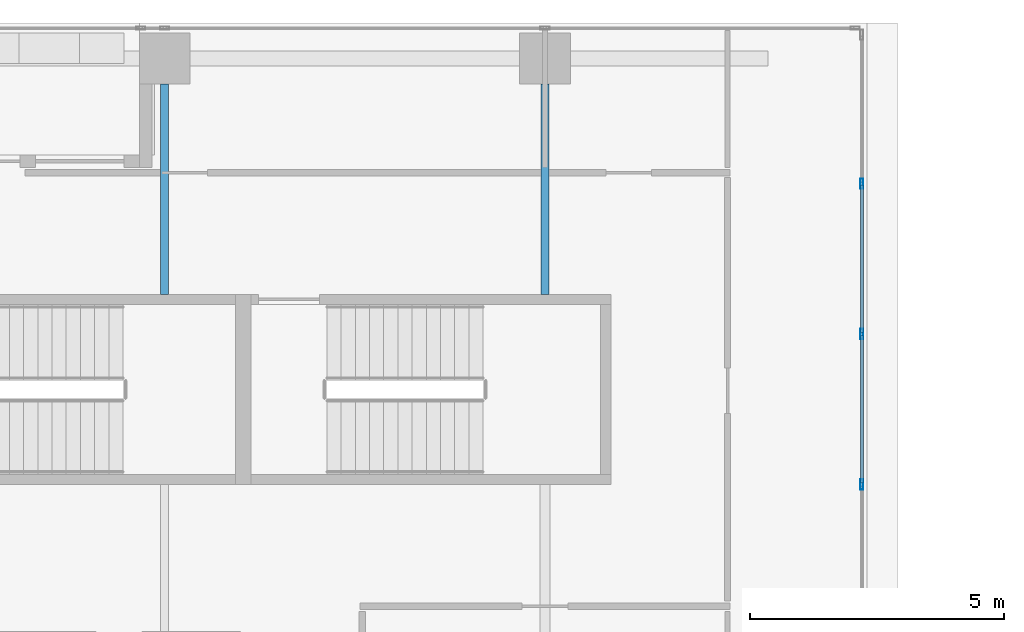
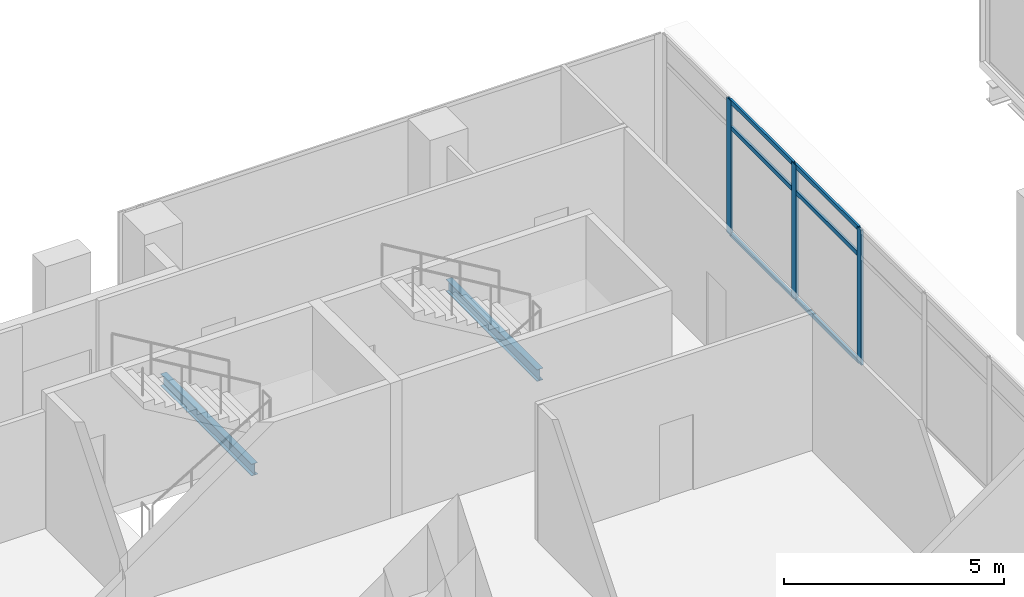
# One storey, part 21 of 40: 9 members, 2 beams, 1 element without a shape of its own.
"""IFC4 building model written with IfcOpenShell, lengths in metres."""

from ifc_helpers import new_model, si_unit, direction, frame, origin, origin_2d, place, context, subcontext, project, spatial, hollow_rectangle, i_section, extrude, source, transform, mapped, material, material_profile, profile_set, type_object, element, aggregate, save


model = new_model("IFC4")

# Units and contexts
model_context = context("Model", 3, precision=1e-05, world=origin(), true_north=direction((0.0, 1.0)))
body_context = subcontext(model_context, "Body", "Model", "MODEL_VIEW")
ifc_project = project(units=[si_unit("LENGTHUNIT", "METRE"), si_unit("AREAUNIT", "SQUARE_METRE"), si_unit("VOLUMEUNIT", "CUBIC_METRE"), si_unit("PLANEANGLEUNIT", "RADIAN"), si_unit("MASSUNIT", "GRAM", prefix="KILO")], contexts=[model_context])

# Site, building, storey
site_placement = place(None, origin())
site = spatial("IfcSite", under=ifc_project, at=site_placement, CompositionType="ELEMENT")
building_placement = place(site_placement, origin())
building = spatial("IfcBuilding", under=site, at=building_placement, Name="Khomas Fold Tower", CompositionType="ELEMENT")
storey_placement = place(building_placement, frame((0.0, 0.0, 180.699951171875)))
storey = spatial("IfcBuildingStorey", under=building, at=storey_placement, Name="L39", CompositionType="ELEMENT", Elevation=180.699951171875)

# Beams
ifc_material_1 = material(Name="Steel S355", Category="steel")
ifc_material_profile_1 = material_profile(ifc_material_1, i_section(OverallWidth=0.159912109375, OverallDepth=0.330078125, WebThickness=0.007568359375, FlangeThickness=0.011474609375, at=origin_2d()), Name="IPE 330")
ifc_profile_set_1 = profile_set([ifc_material_profile_1], Name="Steel S355")
beam_type = type_object("IfcBeamType", Name="IPE 330 beam JB1", PredefinedType="BEAM", material=ifc_profile_set_1)
shared_shape_1 = source(origin(), body_context, "Body", "SweptSolid", [
    extrude(i_section(OverallWidth=0.159912109375, OverallDepth=0.330078125, WebThickness=0.007568359375, FlangeThickness=0.011474609375, at=origin_2d()), origin(), (0.0, 0.0, 1.0), 4.150146484375),
])
for number, where, z_axis, x_axis, name in (
    (1, (19.5, 45.64990234375, -0.4150390625), (0.0, 1.0, 0.0), (-1.0, 0.0, 0.0), "JB1"),
    (2, (27.0, 45.64990234375, -0.4150390625), (0.0, 1.0, 0.0), (-1.0, 0.0, 0.0), "JB1"),
):
    element("IfcBeam", number, at=place(storey_placement, frame(where, z_axis=z_axis, x_axis=x_axis)), inside=storey, type_object=beam_type, Name=name, PredefinedType="BEAM", context=body_context, shape_type="MappedRepresentation", body=[
        mapped(shared_shape_1, transform((0.0, 0.0, 0.0))),
    ])

# Curtain wall, members
ifc_material_2 = material(Name="Aluminium framed double glazing", Category="aluminium")
curtain_wall_type = type_object("IfcCurtainWallType", Name="Notch glazing GN-CW", PredefinedType="NOTDEFINED", material=ifc_material_2)
curtain_wall_placement = place(storey_placement, origin())
curtain_wall = element("IfcCurtainWall", 3, at=curtain_wall_placement, inside=storey, type_object=curtain_wall_type, Name="Notch glazing run", PredefinedType="NOTDEFINED")
ifc_material_3 = material(Name="Aluminium", Category="aluminium")
ifc_material_profile_2 = material_profile(ifc_material_3, hollow_rectangle(XDim=0.06005859375, YDim=0.1201171875, WallThickness=0.00390625, at=origin_2d()), Name="Notch glazing transom GN-CW-T")
ifc_profile_set_2 = profile_set([ifc_material_profile_2], Name="Aluminium")
member_type_1 = type_object("IfcMemberType", Name="Notch glazing transom GN-CW-T", PredefinedType="USERDEFINED", material=ifc_profile_set_2)
shared_shape_2 = source(origin(), body_context, "Body", "SweptSolid", [
    extrude(hollow_rectangle(XDim=0.06005859375, YDim=0.1201171875, WallThickness=0.00390625, at=origin_2d()), origin(), (0.0, 0.0, 1.0), 2.90673828125),
])
member_1_placement = place(storey_placement, frame((33.25, 41.929931640625, 0.030029296875), z_axis=(0.0, 1.0, 0.0), x_axis=(-1.0, 0.0, 0.0)))
member_1 = element("IfcMember", 4, at=member_1_placement, type_object=member_type_1, Name="GN-CW transom 4.1", ObjectType="TRANSOM", PredefinedType="USERDEFINED", context=body_context, shape_type="MappedRepresentation", body=[
    mapped(shared_shape_2, transform((0.0, 0.0, 0.0))),
])
member_2_placement = place(storey_placement, frame((33.25, 41.929931640625, 3.0), z_axis=(0.0, 1.0, 0.0), x_axis=(-1.0, 0.0, 0.0)))
member_2 = element("IfcMember", 5, at=member_2_placement, type_object=member_type_1, Name="GN-CW transom 4.2", ObjectType="TRANSOM", PredefinedType="USERDEFINED", context=body_context, shape_type="MappedRepresentation", body=[
    mapped(shared_shape_2, transform((0.0, 0.0, 0.0))),
])
member_3_placement = place(storey_placement, frame((33.25, 41.929931640625, 3.719970703125), z_axis=(0.0, 1.0, 0.0), x_axis=(-1.0, 0.0, 0.0)))
member_3 = element("IfcMember", 6, at=member_3_placement, type_object=member_type_1, Name="GN-CW transom 4.3", ObjectType="TRANSOM", PredefinedType="USERDEFINED", context=body_context, shape_type="MappedRepresentation", body=[
    mapped(shared_shape_2, transform((0.0, 0.0, 0.0))),
])
shared_shape_3 = source(origin(), body_context, "Body", "SweptSolid", [
    extrude(hollow_rectangle(XDim=0.06005859375, YDim=0.1201171875, WallThickness=0.00390625, at=origin_2d()), origin(), (0.0, 0.0, 1.0), 2.906494140625),
])
member_4_placement = place(storey_placement, frame((33.25, 44.896728515625, 0.030029296875), z_axis=(0.0, 1.0, 0.0), x_axis=(-1.0, 0.0, 0.0)))
member_4 = element("IfcMember", 7, at=member_4_placement, type_object=member_type_1, Name="GN-CW transom 5.1", ObjectType="TRANSOM", PredefinedType="USERDEFINED", context=body_context, shape_type="MappedRepresentation", body=[
    mapped(shared_shape_3, transform((0.0, 0.0, 0.0))),
])
member_5_placement = place(storey_placement, frame((33.25, 44.896728515625, 3.0), z_axis=(0.0, 1.0, 0.0), x_axis=(-1.0, 0.0, 0.0)))
member_5 = element("IfcMember", 8, at=member_5_placement, type_object=member_type_1, Name="GN-CW transom 5.2", ObjectType="TRANSOM", PredefinedType="USERDEFINED", context=body_context, shape_type="MappedRepresentation", body=[
    mapped(shared_shape_3, transform((0.0, 0.0, 0.0))),
])
member_6_placement = place(storey_placement, frame((33.25, 44.896728515625, 3.719970703125), z_axis=(0.0, 1.0, 0.0), x_axis=(-1.0, 0.0, 0.0)))
member_6 = element("IfcMember", 9, at=member_6_placement, type_object=member_type_1, Name="GN-CW transom 5.3", ObjectType="TRANSOM", PredefinedType="USERDEFINED", context=body_context, shape_type="MappedRepresentation", body=[
    mapped(shared_shape_3, transform((0.0, 0.0, 0.0))),
])
ifc_material_4 = material(Name="Aluminium", Category="aluminium")
ifc_material_profile_3 = material_profile(ifc_material_4, hollow_rectangle(XDim=0.06005859375, YDim=0.199951171875, WallThickness=0.00390625, at=origin_2d()), Name="Notch glazing mullion GN-CW-M")
ifc_profile_set_3 = profile_set([ifc_material_profile_3], Name="Aluminium")
member_type_2 = type_object("IfcMemberType", Name="Notch glazing mullion GN-CW-M", PredefinedType="MULLION", material=ifc_profile_set_3)
shared_shape_4 = source(origin(), body_context, "Body", "SweptSolid", [
    extrude(hollow_rectangle(XDim=0.06005859375, YDim=0.199951171875, WallThickness=0.00390625, at=origin_2d()), origin(), (0.0, 0.0, 1.0), 3.75),
])
member_7_placement = place(storey_placement, frame((33.25, 41.89990234375, 0.0), z_axis=(0.0, 0.0, 1.0), x_axis=(-1.0, 0.0, 0.0)))
member_7 = element("IfcMember", 10, at=member_7_placement, type_object=member_type_2, Name="GN-CW mullion 4", PredefinedType="MULLION", context=body_context, shape_type="MappedRepresentation", body=[
    mapped(shared_shape_4, transform((0.0, 0.0, 0.0))),
])
member_8_placement = place(storey_placement, frame((33.25, 44.86669921875, 0.0), z_axis=(0.0, 0.0, 1.0), x_axis=(-1.0, 0.0, 0.0)))
member_8 = element("IfcMember", 11, at=member_8_placement, type_object=member_type_2, Name="GN-CW mullion 5", PredefinedType="MULLION", context=body_context, shape_type="MappedRepresentation", body=[
    mapped(shared_shape_4, transform((0.0, 0.0, 0.0))),
])
member_9_placement = place(storey_placement, frame((33.25, 47.833251953125, 0.0), z_axis=(0.0, 0.0, 1.0), x_axis=(-1.0, 0.0, 0.0)))
member_9 = element("IfcMember", 12, at=member_9_placement, type_object=member_type_2, Name="GN-CW mullion 6", PredefinedType="MULLION", context=body_context, shape_type="MappedRepresentation", body=[
    mapped(shared_shape_4, transform((0.0, 0.0, 0.0))),
])
aggregate(curtain_wall, [member_7, member_8, member_9, member_1, member_2, member_3, member_4, member_5, member_6])

save(model, "model.ifc")
